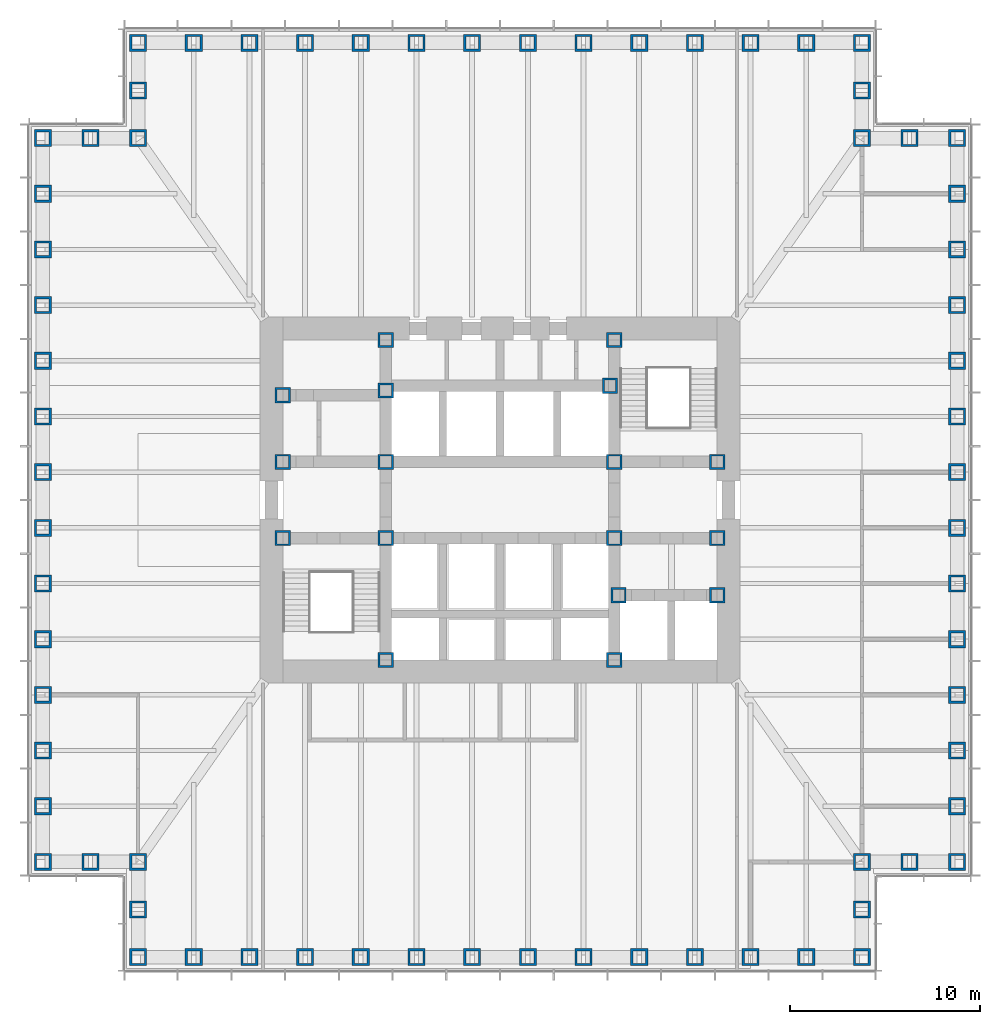
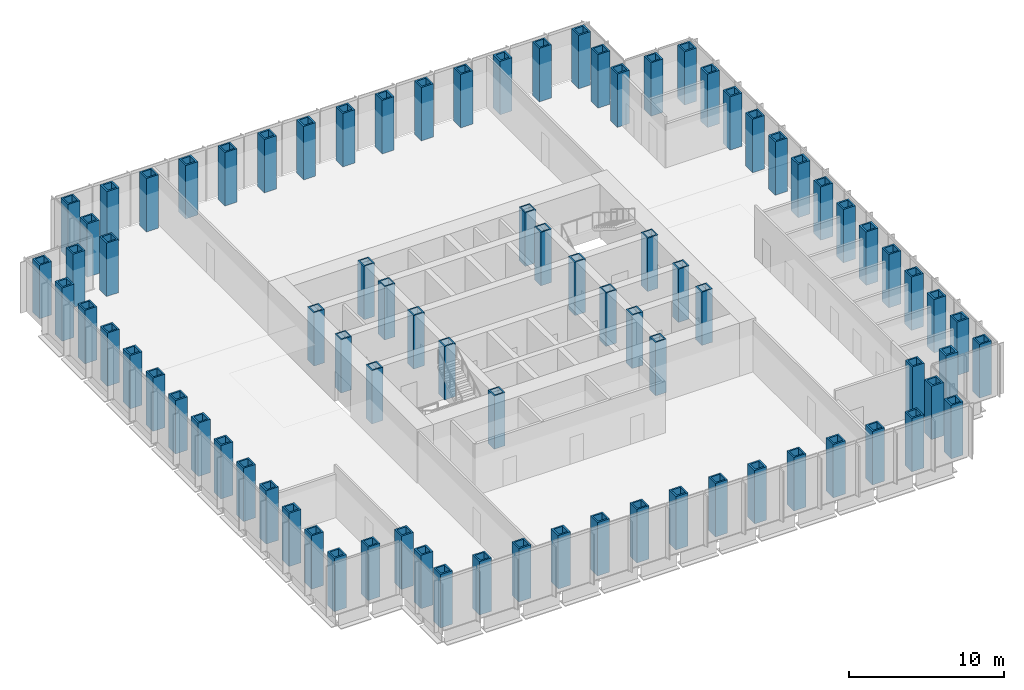
# One storey, part 1 of 16: 85 columns.
"""IFC4 building model written with IfcOpenShell, lengths in metres."""

from ifc_helpers import new_model, si_unit, direction, frame, origin, origin_2d, place, context, subcontext, project, spatial, hollow_rectangle, extrude, material, material_profile, profile_set, type_object, element, save


model = new_model("IFC4")

# Units and contexts
model_context = context("Model", 3, precision=1e-05, world=origin(), true_north=direction((0.0, 1.0)))
body_context = subcontext(model_context, "Body", "Model", "MODEL_VIEW")
ifc_project = project(units=[si_unit("LENGTHUNIT", "METRE"), si_unit("AREAUNIT", "SQUARE_METRE"), si_unit("VOLUMEUNIT", "CUBIC_METRE"), si_unit("PLANEANGLEUNIT", "RADIAN"), si_unit("MASSUNIT", "GRAM", prefix="KILO")], contexts=[model_context])

# Site, building, storey
site_placement = place(None, origin())
site = spatial("IfcSite", under=ifc_project, at=site_placement, CompositionType="ELEMENT")
building_placement = place(site_placement, origin())
building = spatial("IfcBuilding", under=site, at=building_placement, Name="Daluyong Arena Tower", CompositionType="ELEMENT")
storey_placement = place(building_placement, frame((0.0, 0.0, 72.699951171875)))
storey = spatial("IfcBuildingStorey", under=building, at=storey_placement, Name="L15", CompositionType="ELEMENT", Elevation=72.699951171875)

# Columns
ifc_material_1 = material(Name="Steel ASTM A572 Grade 50", Category="steel")
ifc_material_profile_1 = material_profile(ifc_material_1, hollow_rectangle(XDim=0.800048828125, YDim=0.800048828125, WallThickness=0.1, at=origin_2d()))
ifc_profile_set_1 = profile_set([ifc_material_profile_1], Name="Steel ASTM A572 Grade 50")
column_type_1 = type_object("IfcColumnType", Name="Core boundary column BX800X100", PredefinedType="COLUMN", material=ifc_profile_set_1)
for number, where, z_axis, x_axis, name in (
    (1, (44.60009765625, 78.0, 0.0), (0.0, 0.0, 1.0), (1.0, 0.0, 0.0), "core boundary column BC2"),
    (2, (44.60009765625, 82.0, 0.0), (0.0, 0.0, 1.0), (1.0, 0.0, 0.0), "core boundary column BC2"),
    (3, (44.60009765625, 85.5, 0.0), (0.0, 0.0, 1.0), (1.0, 0.0, 0.0), "core boundary column BC2"),
    (4, (50.0, 71.60009765625, 0.0), (0.0, 0.0, 1.0), (1.0, 0.0, 0.0), "core boundary column BC2"),
    (5, (50.0, 78.0, 0.0), (0.0, 0.0, 1.0), (1.0, 0.0, 0.0), "core boundary column BC2"),
    (6, (50.0, 82.0, 0.0), (0.0, 0.0, 1.0), (1.0, 0.0, 0.0), "core boundary column BC2"),
    (7, (50.0, 85.75, 0.0), (0.0, 0.0, 1.0), (1.0, 0.0, 0.0), "core boundary column BC2"),
    (8, (50.0, 88.39990234375, 0.0), (0.0, 0.0, 1.0), (1.0, 0.0, 0.0), "core boundary column BC2"),
    (9, (61.77490234375, 86.0, 0.0), (0.0, 0.0, 1.0), (1.0, 0.0, 0.0), "core boundary column BC2"),
    (10, (62.0, 71.60009765625, 0.0), (0.0, 0.0, 1.0), (1.0, 0.0, 0.0), "core boundary column BC2"),
    (11, (62.0, 78.0, 0.0), (0.0, 0.0, 1.0), (1.0, 0.0, 0.0), "core boundary column BC2"),
    (12, (62.0, 82.0, 0.0), (0.0, 0.0, 1.0), (1.0, 0.0, 0.0), "core boundary column BC2"),
    (13, (62.0, 88.39990234375, 0.0), (0.0, 0.0, 1.0), (1.0, 0.0, 0.0), "core boundary column BC2"),
    (14, (62.22509765625, 75.0, 0.0), (0.0, 0.0, 1.0), (1.0, 0.0, 0.0), "core boundary column BC2"),
    (15, (67.39990234375, 75.0, 0.0), (0.0, 0.0, 1.0), (1.0, 0.0, 0.0), "core boundary column BC2"),
    (16, (67.39990234375, 78.0, 0.0), (0.0, 0.0, 1.0), (1.0, 0.0, 0.0), "core boundary column BC2"),
    (17, (67.39990234375, 82.0, 0.0), (0.0, 0.0, 1.0), (1.0, 0.0, 0.0), "core boundary column BC2"),
):
    element("IfcColumn", number, at=place(storey_placement, frame(where, z_axis=z_axis, x_axis=x_axis)), inside=storey, type_object=column_type_1, Name=name, PredefinedType="COLUMN", context=body_context, shape_type="SweptSolid", body=[
        extrude(hollow_rectangle(XDim=0.800048828125, YDim=0.800048828125, WallThickness=0.1, at=origin_2d()), origin(), (0.0, 0.0, 1.0), 4.199951171875),
    ])
ifc_material_2 = material(Name="Steel ASTM A588 Grade 50", Category="steel")
ifc_material_profile_2 = material_profile(ifc_material_2, hollow_rectangle(XDim=0.89990234375, YDim=0.89990234375, WallThickness=0.12, at=origin_2d()))
ifc_profile_set_2 = profile_set([ifc_material_profile_2], Name="Steel ASTM A588 Grade 50")
column_type_2 = type_object("IfcColumnType", Name="Tube column BX900X120 BX900X120", PredefinedType="COLUMN", material=ifc_profile_set_2)
for number, where, z_axis, x_axis, name in (
    (18, (37.0, 56.0, 0.0), (0.0, 0.0, 1.0), (1.0, 0.0, 0.0), "tube column bx900x120 TC4"),
    (19, (39.923095703125, 56.0, 0.0), (0.0, 0.0, 1.0), (1.0, 0.0, 0.0), "tube column bx900x120 TC4"),
    (20, (42.84619140625, 56.0, 0.0), (0.0, 0.0, 1.0), (1.0, 0.0, 0.0), "tube column bx900x120 TC4"),
    (21, (45.769287109375, 56.0, 0.0), (0.0, 0.0, 1.0), (1.0, 0.0, 0.0), "tube column bx900x120 TC4"),
    (22, (48.6923828125, 56.0, 0.0), (0.0, 0.0, 1.0), (1.0, 0.0, 0.0), "tube column bx900x120 TC4"),
    (23, (51.615478515625, 56.0, 0.0), (0.0, 0.0, 1.0), (1.0, 0.0, 0.0), "tube column bx900x120 TC4"),
    (24, (54.53857421875, 56.0, 0.0), (0.0, 0.0, 1.0), (1.0, 0.0, 0.0), "tube column bx900x120 TC4"),
    (25, (57.46142578125, 56.0, 0.0), (0.0, 0.0, 1.0), (1.0, 0.0, 0.0), "tube column bx900x120 TC4"),
    (26, (60.384521484375, 56.0, 0.0), (0.0, 0.0, 1.0), (1.0, 0.0, 0.0), "tube column bx900x120 TC4"),
    (27, (63.3076171875, 56.0, 0.0), (0.0, 0.0, 1.0), (1.0, 0.0, 0.0), "tube column bx900x120 TC4"),
    (28, (66.230712890625, 56.0, 0.0), (0.0, 0.0, 1.0), (1.0, 0.0, 0.0), "tube column bx900x120 TC4"),
    (29, (69.15380859375, 56.0, 0.0), (0.0, 0.0, 1.0), (1.0, 0.0, 0.0), "tube column bx900x120 TC4"),
    (30, (72.076904296875, 56.0, 0.0), (0.0, 0.0, 1.0), (1.0, 0.0, 0.0), "tube column bx900x120 TC4"),
    (31, (75.0, 56.0, 0.0), (0.0, 0.0, 1.0), (0.0, 1.0, 0.0), "tube column bx900x120 TC4"),
    (32, (75.0, 58.5, 0.0), (0.0, 0.0, 1.0), (0.0, 1.0, 0.0), "tube column bx900x120 TC4"),
    (33, (75.0, 61.0, 0.0), (0.0, 0.0, 1.0), (1.0, 0.0, 0.0), "tube column bx900x120 TC4"),
    (34, (77.5, 61.0, 0.0), (0.0, 0.0, 1.0), (1.0, 0.0, 0.0), "tube column bx900x120 TC4"),
    (35, (80.0, 61.0, 0.0), (0.0, 0.0, 1.0), (0.0, 1.0, 0.0), "tube column bx900x120 TC4"),
    (36, (80.0, 63.923095703125, 0.0), (0.0, 0.0, 1.0), (0.0, 1.0, 0.0), "tube column bx900x120 TC4"),
    (37, (80.0, 66.84619140625, 0.0), (0.0, 0.0, 1.0), (0.0, 1.0, 0.0), "tube column bx900x120 TC4"),
    (38, (80.0, 69.769287109375, 0.0), (0.0, 0.0, 1.0), (0.0, 1.0, 0.0), "tube column bx900x120 TC4"),
    (39, (80.0, 72.6923828125, 0.0), (0.0, 0.0, 1.0), (0.0, 1.0, 0.0), "tube column bx900x120 TC4"),
    (40, (80.0, 75.615478515625, 0.0), (0.0, 0.0, 1.0), (0.0, 1.0, 0.0), "tube column bx900x120 TC4"),
    (41, (80.0, 78.53857421875, 0.0), (0.0, 0.0, 1.0), (0.0, 1.0, 0.0), "tube column bx900x120 TC4"),
    (42, (80.0, 81.46142578125, 0.0), (0.0, 0.0, 1.0), (0.0, 1.0, 0.0), "tube column bx900x120 TC4"),
    (43, (80.0, 84.384521484375, 0.0), (0.0, 0.0, 1.0), (0.0, 1.0, 0.0), "tube column bx900x120 TC4"),
    (44, (80.0, 87.3076171875, 0.0), (0.0, 0.0, 1.0), (0.0, 1.0, 0.0), "tube column bx900x120 TC4"),
    (45, (80.0, 90.230712890625, 0.0), (0.0, 0.0, 1.0), (0.0, 1.0, 0.0), "tube column bx900x120 TC4"),
    (46, (80.0, 93.15380859375, 0.0), (0.0, 0.0, 1.0), (0.0, 1.0, 0.0), "tube column bx900x120 TC4"),
    (47, (80.0, 96.076904296875, 0.0), (0.0, 0.0, 1.0), (0.0, 1.0, 0.0), "tube column bx900x120 TC4"),
    (48, (80.0, 99.0, 0.0), (0.0, 0.0, 1.0), (1.0, 0.0, 0.0), "tube column bx900x120 TC4"),
    (49, (77.5, 99.0, 0.0), (0.0, 0.0, 1.0), (1.0, 0.0, 0.0), "tube column bx900x120 TC4"),
    (50, (75.0, 99.0, 0.0), (0.0, 0.0, 1.0), (0.0, 1.0, 0.0), "tube column bx900x120 TC4"),
    (51, (75.0, 101.5, 0.0), (0.0, 0.0, 1.0), (0.0, 1.0, 0.0), "tube column bx900x120 TC4"),
    (52, (75.0, 104.0, 0.0), (0.0, 0.0, 1.0), (1.0, 0.0, 0.0), "tube column bx900x120 TC4"),
    (53, (72.076904296875, 104.0, 0.0), (0.0, 0.0, 1.0), (1.0, 0.0, 0.0), "tube column bx900x120 TC4"),
    (54, (69.15380859375, 104.0, 0.0), (0.0, 0.0, 1.0), (1.0, 0.0, 0.0), "tube column bx900x120 TC4"),
    (55, (66.230712890625, 104.0, 0.0), (0.0, 0.0, 1.0), (1.0, 0.0, 0.0), "tube column bx900x120 TC4"),
    (56, (63.3076171875, 104.0, 0.0), (0.0, 0.0, 1.0), (1.0, 0.0, 0.0), "tube column bx900x120 TC4"),
    (57, (60.384521484375, 104.0, 0.0), (0.0, 0.0, 1.0), (1.0, 0.0, 0.0), "tube column bx900x120 TC4"),
    (58, (57.46142578125, 104.0, 0.0), (0.0, 0.0, 1.0), (1.0, 0.0, 0.0), "tube column bx900x120 TC4"),
    (59, (54.53857421875, 104.0, 0.0), (0.0, 0.0, 1.0), (1.0, 0.0, 0.0), "tube column bx900x120 TC4"),
    (60, (51.615478515625, 104.0, 0.0), (0.0, 0.0, 1.0), (1.0, 0.0, 0.0), "tube column bx900x120 TC4"),
    (61, (48.6923828125, 104.0, 0.0), (0.0, 0.0, 1.0), (1.0, 0.0, 0.0), "tube column bx900x120 TC4"),
    (62, (45.769287109375, 104.0, 0.0), (0.0, 0.0, 1.0), (1.0, 0.0, 0.0), "tube column bx900x120 TC4"),
    (63, (42.84619140625, 104.0, 0.0), (0.0, 0.0, 1.0), (1.0, 0.0, 0.0), "tube column bx900x120 TC4"),
    (64, (39.923095703125, 104.0, 0.0), (0.0, 0.0, 1.0), (1.0, 0.0, 0.0), "tube column bx900x120 TC4"),
    (65, (37.0, 104.0, 0.0), (0.0, 0.0, 1.0), (0.0, 1.0, 0.0), "tube column bx900x120 TC4"),
    (66, (37.0, 101.5, 0.0), (0.0, 0.0, 1.0), (0.0, 1.0, 0.0), "tube column bx900x120 TC4"),
    (67, (37.0, 99.0, 0.0), (0.0, 0.0, 1.0), (1.0, 0.0, 0.0), "tube column bx900x120 TC4"),
    (68, (34.5, 99.0, 0.0), (0.0, 0.0, 1.0), (1.0, 0.0, 0.0), "tube column bx900x120 TC4"),
    (69, (32.0, 99.0, 0.0), (0.0, 0.0, 1.0), (0.0, 1.0, 0.0), "tube column bx900x120 TC4"),
    (70, (32.0, 96.076904296875, 0.0), (0.0, 0.0, 1.0), (0.0, 1.0, 0.0), "tube column bx900x120 TC4"),
    (71, (32.0, 93.15380859375, 0.0), (0.0, 0.0, 1.0), (0.0, 1.0, 0.0), "tube column bx900x120 TC4"),
    (72, (32.0, 90.230712890625, 0.0), (0.0, 0.0, 1.0), (0.0, 1.0, 0.0), "tube column bx900x120 TC4"),
    (73, (32.0, 87.3076171875, 0.0), (0.0, 0.0, 1.0), (0.0, 1.0, 0.0), "tube column bx900x120 TC4"),
    (74, (32.0, 84.384521484375, 0.0), (0.0, 0.0, 1.0), (0.0, 1.0, 0.0), "tube column bx900x120 TC4"),
    (75, (32.0, 81.46142578125, 0.0), (0.0, 0.0, 1.0), (0.0, 1.0, 0.0), "tube column bx900x120 TC4"),
    (76, (32.0, 78.53857421875, 0.0), (0.0, 0.0, 1.0), (0.0, 1.0, 0.0), "tube column bx900x120 TC4"),
    (77, (32.0, 75.615478515625, 0.0), (0.0, 0.0, 1.0), (0.0, 1.0, 0.0), "tube column bx900x120 TC4"),
    (78, (32.0, 72.6923828125, 0.0), (0.0, 0.0, 1.0), (0.0, 1.0, 0.0), "tube column bx900x120 TC4"),
    (79, (32.0, 69.769287109375, 0.0), (0.0, 0.0, 1.0), (0.0, 1.0, 0.0), "tube column bx900x120 TC4"),
    (80, (32.0, 66.84619140625, 0.0), (0.0, 0.0, 1.0), (0.0, 1.0, 0.0), "tube column bx900x120 TC4"),
    (81, (32.0, 63.923095703125, 0.0), (0.0, 0.0, 1.0), (0.0, 1.0, 0.0), "tube column bx900x120 TC4"),
    (82, (32.0, 61.0, 0.0), (0.0, 0.0, 1.0), (1.0, 0.0, 0.0), "tube column bx900x120 TC4"),
    (83, (34.5, 61.0, 0.0), (0.0, 0.0, 1.0), (1.0, 0.0, 0.0), "tube column bx900x120 TC4"),
    (84, (37.0, 61.0, 0.0), (0.0, 0.0, 1.0), (0.0, 1.0, 0.0), "tube column bx900x120 TC4"),
    (85, (37.0, 58.5, 0.0), (0.0, 0.0, 1.0), (0.0, 1.0, 0.0), "tube column bx900x120 TC4"),
):
    element("IfcColumn", number, at=place(storey_placement, frame(where, z_axis=z_axis, x_axis=x_axis)), inside=storey, type_object=column_type_2, Name=name, PredefinedType="COLUMN", context=body_context, shape_type="SweptSolid", body=[
        extrude(hollow_rectangle(XDim=0.89990234375, YDim=0.89990234375, WallThickness=0.12, at=origin_2d()), origin(), (0.0, 0.0, 1.0), 4.199951171875),
    ])

save(model, "model.ifc")
